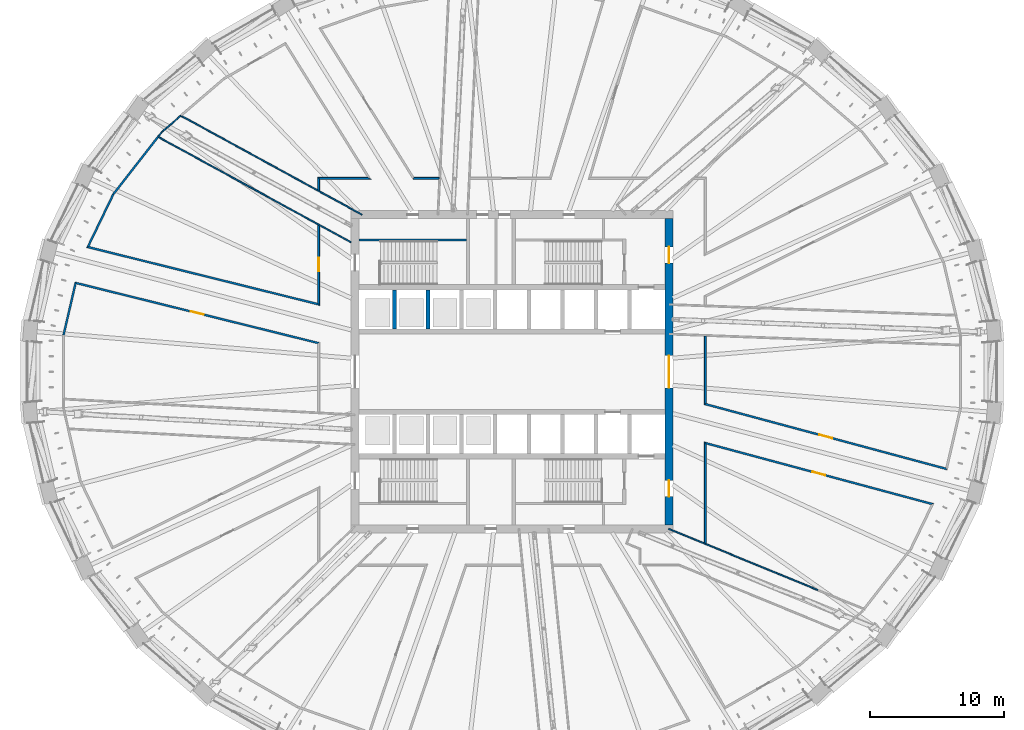
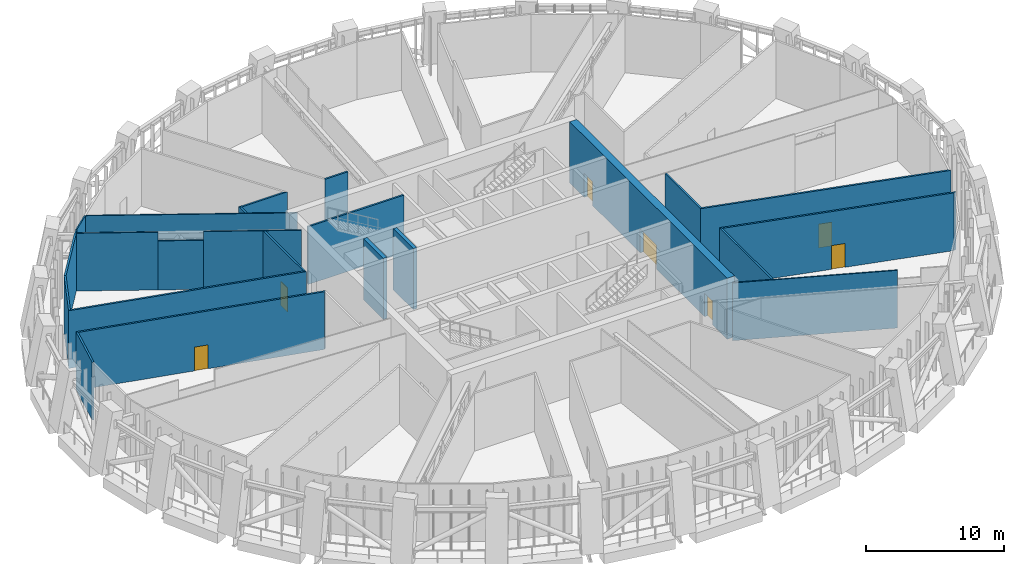
# One storey, part 9 of 22: 24 walls, 7 doors, 7 openings.
"""IFC4 building model written with IfcOpenShell, lengths in metres."""

from ifc_helpers import new_model, si_unit, direction, frame, frame_2d, origin, place, context, subcontext, project, spatial, polyline, rectangle, outline, extrude, material, layer, layer_set, type_object, element, fill, save


model = new_model("IFC4")

# Units and contexts
model_context = context("Model", 3, precision=1e-05, world=origin(), true_north=direction((0.0, 1.0)))
body_context = subcontext(model_context, "Body", "Model", "MODEL_VIEW")
ifc_project = project(units=[si_unit("LENGTHUNIT", "METRE"), si_unit("AREAUNIT", "SQUARE_METRE"), si_unit("VOLUMEUNIT", "CUBIC_METRE"), si_unit("PLANEANGLEUNIT", "RADIAN"), si_unit("MASSUNIT", "GRAM", prefix="KILO")], contexts=[model_context])

# Site, building, storey
site_placement = place(None, origin())
site = spatial("IfcSite", under=ifc_project, at=site_placement, CompositionType="ELEMENT")
building_placement = place(site_placement, origin())
building = spatial("IfcBuilding", under=site, at=building_placement, Name="Halqa Exchange Tower", CompositionType="ELEMENT")
storey_placement = place(building_placement, frame((0.0, 0.0, 99.10009765625)))
storey = spatial("IfcBuildingStorey", under=building, at=storey_placement, Name="L22", CompositionType="ELEMENT", Elevation=99.10009765625)

# Walls
ifc_material_1 = material(Name="Fire-rated gypsum board")
ifc_layer_1 = layer(ifc_material_1, 0.14990234375)
ifc_layer_set_1 = layer_set([ifc_layer_1], Name="Fire-rated gypsum board")
wall_type_1 = type_object("IfcWallType", Name="Fire partition EI 60 150", PredefinedType="PARTITIONING", material=ifc_layer_set_1)
wall_1_placement = place(storey_placement, frame((-32.492919921875, 6.694091796875, 0.0), z_axis=(0.0, 0.0, 1.0), x_axis=(-0.225920199459, -0.974145812226, 0.0)))
element("IfcWall", 1, at=wall_1_placement, inside=storey, type_object=wall_type_1, Name="L22-PWL-007", PredefinedType="PARTITIONING", context=body_context, shape_type="SweptSolid", body=[
    extrude(outline(polyline([(0.0, -0.074951171875), (1.35595703125, -0.074951171875), (2.711669921875, -0.074951171875), (4.067626953125, -0.074951171875), (4.050537109375, 0.074951171875), (2.101318359375, 0.074951171875), (0.152099609375, 0.074951171875), (0.0, -0.07470703125), (0.0, -0.074951171875)])), origin(), (0.0, 0.0, 1.0), 5.099853515625),
])
wall_2_placement = place(storey_placement, frame((-31.644775390625, 9.2080078125, 0.0), z_axis=(0.0, 0.0, 1.0), x_axis=(0.435304261424, 0.900283399817, 0.0)))
element("IfcWall", 2, at=wall_2_placement, inside=storey, type_object=wall_type_1, Name="L22-PWL-009", PredefinedType="PARTITIONING", context=body_context, shape_type="SweptSolid", body=[
    extrude(outline(polyline([(0.184814453125, -0.074951171875), (1.609619140625, -0.074951171875), (3.03466796875, -0.074951171875), (4.45947265625, -0.074951171875), (4.4755859375, 0.074951171875), (2.983642578125, 0.074951171875), (1.491943359375, 0.074951171875), (0.0, 0.074951171875), (0.184814453125, -0.074951171875)])), origin(), (0.0, 0.0, 1.0), 5.099853515625),
])
wall_3_placement = place(storey_placement, frame((-31.6943359375, 9.3134765625, 0.0), z_axis=(0.0, 0.0, 1.0), x_axis=(0.970538002946, -0.240948095734, 0.0)))
element("IfcWall", 3, at=wall_3_placement, inside=storey, type_object=wall_type_1, Name="L22-PWL-010", PredefinedType="PARTITIONING", context=body_context, shape_type="SweptSolid", body=[
    extrude(outline(polyline([(0.000244140625, -0.074951171875), (1.99072265625, -0.074951171875), (3.981201171875, -0.074951171875), (5.971923828125, -0.074951171875), (7.96240234375, -0.074951171875), (9.952880859375, -0.074951171875), (11.943603515625, -0.074951171875), (13.93408203125, -0.074951171875), (15.924560546875, -0.074951171875), (17.915283203125, -0.074951171875), (17.7236328125, 0.074951171875), (15.77490234375, 0.074951171875), (13.826171875, 0.074951171875), (11.87744140625, 0.074951171875), (9.928466796875, 0.074951171875), (7.979736328125, 0.074951171875), (6.031005859375, 0.074951171875), (4.082275390625, 0.074951171875), (2.133544921875, 0.074951171875), (0.184814453125, 0.074951171875), (0.000244140625, -0.074951171875)])), origin(), (0.0, 0.0, 1.0), 5.099853515625),
])
wall_4_placement = place(storey_placement, frame((-26.3701171875, 17.5, 0.0), z_axis=(0.0, 0.0, 1.0), x_axis=(-0.614934385905, -0.788578278316, 0.0)))
element("IfcWall", 4, at=wall_4_placement, inside=storey, type_object=wall_type_1, Name="L22-PWL-013", PredefinedType="PARTITIONING", context=body_context, shape_type="SweptSolid", body=[
    extrude(outline(polyline([(0.0, -0.074951171875), (1.8076171875, -0.074951171875), (3.615234375, -0.074951171875), (5.4228515625, -0.074951171875), (5.406982421875, 0.074951171875), (3.6044921875, 0.074951171875), (1.80224609375, 0.074951171875), (0.0, 0.074951171875), (0.0, -0.074951171875)])), origin(), (0.0, 0.0, 1.0), 5.099853515625),
])

# Wall, opening, door
wall_5_placement = place(storey_placement, frame((-14.343017578125, 2.115966796875, 0.0), z_axis=(0.0, 0.0, 1.0), x_axis=(-0.970616710199, 0.240630841505, 0.0)))
wall_5 = element("IfcWall", 5, at=wall_5_placement, inside=storey, type_object=wall_type_1, Name="L22-PWL-031", PredefinedType="PARTITIONING", context=body_context, shape_type="SweptSolid", body=[
    extrude(outline(polyline([(0.0, -0.074951171875), (1.87939453125, -0.074951171875), (3.758544921875, -0.074951171875), (5.637939453125, -0.074951171875), (7.51708984375, -0.074951171875), (9.396484375, -0.074951171875), (11.275634765625, -0.074951171875), (13.155029296875, -0.074951171875), (15.034423828125, -0.074951171875), (16.91357421875, -0.074951171875), (18.79296875, -0.074951171875), (18.640625, 0.074951171875), (16.788330078125, 0.074951171875), (14.93603515625, 0.074951171875), (13.083740234375, 0.074951171875), (11.2314453125, 0.074951171875), (9.37890625, 0.074951171875), (7.526611328125, 0.074951171875), (5.67431640625, 0.074951171875), (3.822021484375, 0.074951171875), (1.969482421875, 0.074951171875), (0.1171875, 0.074951171875), (0.0, -0.074951171875), (0.0, -0.074951171875)])), origin(), (0.0, 0.0, 1.0), 5.099853515625),
])
opening_1_placement = place(wall_5_placement, frame((8.8876953125, 0.0, 0.0)))
opening_1 = element("IfcOpeningElement", 6, at=opening_1_placement, cuts=wall_5, Name="Opening L22-16", PredefinedType="OPENING", context=body_context, shape_type="SweptSolid", body=[
    extrude(rectangle(XDim=1.0, YDim=2.10009765625, at=frame_2d((0.5, 1.050048828125))), frame((0.0, 0.0869140625, 0.0), z_axis=(0.0, -1.0, 0.0), x_axis=(1.0, 0.0, 0.0)), (0.0, 0.0, 1.0), 0.173828125),
])
ifc_material_2 = material(Name="Steel fire door leaf", Category="steel")
door_type_1 = type_object("IfcDoorType", Name="Fire door FD30S 1000 x 2100", OperationType="SINGLE_SWING_LEFT", PredefinedType="DOOR", material=ifc_material_2)
door_1_placement = place(opening_1_placement, origin())
door_1 = element("IfcDoor", 7, at=door_1_placement, inside=storey, type_object=door_type_1, Name="L22-IDR-016", OperationType="SINGLE_SWING_RIGHT", OverallHeight=2.10009765625, OverallWidth=1.0, PredefinedType="DOOR", context=body_context, shape_type="SweptSolid", body=[
    extrude(rectangle(XDim=1.0, YDim=2.10009765625, at=frame_2d((0.5, 1.050048828125))), frame((0.0, 0.02490234375, 0.0), z_axis=(0.0, -1.0, 0.0), x_axis=(1.0, 0.0, 0.0)), (0.0, 0.0, 1.0), 0.050048828125),
])
fill(opening_1, door_1)

wall_6_placement = place(storey_placement, frame((-14.39990234375, 4.924072265625, 0.0), z_axis=(0.0, 0.0, 1.0), x_axis=(0.0, 1.0, 0.0)))
wall_6 = element("IfcWall", 8, at=wall_6_placement, inside=storey, type_object=wall_type_1, Name="L22-PWL-032", PredefinedType="PARTITIONING", context=body_context, shape_type="SweptSolid", body=[
    extrude(outline(polyline([(0.0, -0.074951171875), (1.979248046875, -0.074951171875), (3.95849609375, -0.074951171875), (5.93798828125, -0.074951171875), (6.01953125, 0.074462890625), (6.01953125, 0.074951171875), (4.076904296875, 0.074951171875), (2.13427734375, 0.074951171875), (0.191650390625, 0.074951171875), (0.095947265625, 0.0), (0.0, -0.074951171875), (0.0, -0.074951171875)])), origin(), (0.0, 0.0, 1.0), 5.099853515625),
])
opening_2_placement = place(wall_6_placement, frame((2.560791015625, 0.0, 0.0)))
opening_2 = element("IfcOpeningElement", 9, at=opening_2_placement, cuts=wall_6, Name="Opening L22-15", PredefinedType="OPENING", context=body_context, shape_type="SweptSolid", body=[
    extrude(rectangle(XDim=1.0, YDim=2.10009765625, at=frame_2d((0.5, 1.050048828125))), frame((0.0, 0.0869140625, 0.0), z_axis=(0.0, -1.0, 0.0), x_axis=(1.0, 0.0, 0.0)), (0.0, 0.0, 1.0), 0.173828125),
])
door_2_placement = place(opening_2_placement, origin())
door_2 = element("IfcDoor", 10, at=door_2_placement, inside=storey, type_object=door_type_1, Name="L22-IDR-015", OperationType="SINGLE_SWING_RIGHT", OverallHeight=2.10009765625, OverallWidth=1.0, PredefinedType="DOOR", context=body_context, shape_type="SweptSolid", body=[
    extrude(rectangle(XDim=1.0, YDim=2.10009765625, at=frame_2d((0.5, 1.050048828125))), frame((0.0, 0.02490234375, 0.0), z_axis=(0.0, -1.0, 0.0), x_axis=(1.0, 0.0, 0.0)), (0.0, 0.0, 1.0), 0.050048828125),
])
fill(opening_2, door_2)

# Walls
wall_7_placement = place(storey_placement, frame((-14.39990234375, 13.48193359375, 0.0), z_axis=(0.0, 0.0, 1.0), x_axis=(0.0, 1.0, 0.0)))
element("IfcWall", 11, at=wall_7_placement, inside=storey, type_object=wall_type_1, Name="L22-PWL-033", PredefinedType="PARTITIONING", context=body_context, shape_type="SweptSolid", body=[
    extrude(outline(polyline([(0.0, -0.074951171875), (0.843017578125, -0.074951171875), (0.843017578125, -0.074951171875), (0.992919921875, 0.074951171875), (0.081787109375, 0.074951171875), (0.0, -0.074462890625), (0.0, -0.074951171875)])), origin(), (0.0, 0.0, 1.0), 5.099853515625),
])
wall_8_placement = place(storey_placement, frame((-14.47509765625, 14.39990234375, 0.0), z_axis=(0.0, 0.0, 1.0), x_axis=(1.0, 0.0, 0.0)))
element("IfcWall", 12, at=wall_8_placement, inside=storey, type_object=wall_type_1, Name="L22-PWL-034", PredefinedType="PARTITIONING", context=body_context, shape_type="SweptSolid", body=[
    extrude(outline(polyline([(3.980224609375, -0.074951171875), (3.980224609375, -0.074951171875), (3.710205078125, 0.074951171875), (1.855224609375, 0.074951171875), (0.000244140625, 0.074951171875), (0.150146484375, -0.074951171875), (2.065185546875, -0.074951171875), (3.980224609375, -0.074951171875)])), origin(), (0.0, 0.0, 1.0), 5.099853515625),
])
wall_9_placement = place(storey_placement, frame((-7.37158203125, 14.39990234375, 0.0), z_axis=(0.0, 0.0, 1.0), x_axis=(1.0, 0.0, 0.0)))
element("IfcWall", 13, at=wall_9_placement, inside=storey, type_object=wall_type_1, Name="L22-PWL-039", PredefinedType="PARTITIONING", context=body_context, shape_type="SweptSolid", body=[
    extrude(outline(polyline([(0.0, -0.074951171875), (1.93017578125, -0.074951171875), (1.93701171875, 0.064208984375), (1.93701171875, 0.074951171875), (0.083251953125, 0.074951171875), (0.04150390625, 0.0), (0.0, -0.074951171875), (0.0, -0.074951171875)])), origin(), (0.0, 0.0, 1.0), 5.099853515625),
])
wall_10_placement = place(storey_placement, frame((14.39990234375, -5.212158203125, 0.0), z_axis=(0.0, 0.0, 1.0), x_axis=(0.0, -1.0, 0.0)))
element("IfcWall", 14, at=wall_10_placement, inside=storey, type_object=wall_type_1, Name="L22-PWL-076", PredefinedType="PARTITIONING", context=body_context, shape_type="SweptSolid", body=[
    extrude(outline(polyline([(0.0, -0.074951171875), (1.881103515625, -0.074951171875), (3.76220703125, -0.074951171875), (5.64306640625, -0.074951171875), (7.524169921875, -0.074951171875), (7.58544921875, 0.07421875), (7.58544921875, 0.074951171875), (5.738037109375, 0.074951171875), (3.890380859375, 0.074951171875), (2.04296875, 0.074951171875), (0.195556640625, 0.074951171875), (0.097900390625, 0.0), (0.0, -0.074951171875), (0.0, -0.074951171875), (0.0, -0.074951171875), (0.0, -0.074951171875)])), origin(), (0.0, 0.0, 1.0), 5.099853515625),
])

# Wall, opening, door
wall_11_placement = place(storey_placement, frame((14.344482421875, -2.39501953125, 0.0), z_axis=(0.0, 0.0, 1.0), x_axis=(0.96572282832, -0.259575458899, 0.0)))
wall_11 = element("IfcWall", 15, at=wall_11_placement, inside=storey, type_object=wall_type_1, Name="L22-PWL-077", PredefinedType="PARTITIONING", context=body_context, shape_type="SweptSolid", body=[
    extrude(outline(polyline([(0.0, -0.074951171875), (1.874267578125, -0.074951171875), (3.748779296875, -0.074951171875), (5.623046875, -0.074951171875), (7.497314453125, -0.074951171875), (9.37158203125, -0.074951171875), (11.245849609375, -0.074951171875), (13.1201171875, -0.074951171875), (14.994384765625, -0.074951171875), (16.86865234375, -0.074951171875), (18.742919921875, -0.074951171875), (18.587646484375, 0.074951171875), (16.740478515625, 0.074951171875), (14.89306640625, 0.074951171875), (13.0458984375, 0.074951171875), (11.19873046875, 0.074951171875), (9.351318359375, 0.074951171875), (7.504150390625, 0.074951171875), (5.65673828125, 0.074951171875), (3.8095703125, 0.074951171875), (1.96240234375, 0.074951171875), (0.114990234375, 0.074951171875), (0.0, -0.074951171875)])), origin(), (0.0, 0.0, 1.0), 5.099853515625),
])
opening_3_placement = place(wall_11_placement, frame((8.861328125, 0.0, 0.0)))
opening_3 = element("IfcOpeningElement", 16, at=opening_3_placement, cuts=wall_11, Name="Opening L22-08", PredefinedType="OPENING", context=body_context, shape_type="SweptSolid", body=[
    extrude(rectangle(XDim=1.0, YDim=2.10009765625, at=frame_2d((0.5, 1.050048828125))), frame((0.0, 0.0869140625, 0.0), z_axis=(0.0, -1.0, 0.0), x_axis=(1.0, 0.0, 0.0)), (0.0, 0.0, 1.0), 0.173828125),
])
door_3_placement = place(opening_3_placement, origin())
door_3 = element("IfcDoor", 17, at=door_3_placement, inside=storey, type_object=door_type_1, Name="L22-IDR-008", OperationType="SINGLE_SWING_RIGHT", OverallHeight=2.10009765625, OverallWidth=1.0, PredefinedType="DOOR", context=body_context, shape_type="SweptSolid", body=[
    extrude(rectangle(XDim=1.0, YDim=2.10009765625, at=frame_2d((0.5, 1.050048828125))), frame((0.0, 0.02490234375, 0.0), z_axis=(0.0, -1.0, 0.0), x_axis=(1.0, 0.0, 0.0)), (0.0, 0.0, 1.0), 0.050048828125),
])
fill(opening_3, door_3)

# Wall
wall_12_placement = place(storey_placement, frame((14.39990234375, 2.660400390625, 0.0), z_axis=(0.0, 0.0, 1.0), x_axis=(0.0, -1.0, 0.0)))
element("IfcWall", 18, at=wall_12_placement, inside=storey, type_object=wall_type_1, Name="L22-PWL-078", PredefinedType="PARTITIONING", context=body_context, shape_type="SweptSolid", body=[
    extrude(outline(polyline([(5.1279296875, -0.074951171875), (5.1279296875, -0.074951171875), (5.1279296875, -0.074951171875), (5.1279296875, -0.074951171875), (5.0703125, 0.0), (5.012939453125, 0.074951171875), (3.34375, 0.074951171875), (1.674560546875, 0.074951171875), (0.005126953125, 0.074951171875), (0.0, -0.063720703125), (0.0, -0.074951171875), (1.709228515625, -0.074951171875), (3.418701171875, -0.074951171875), (5.1279296875, -0.074951171875)])), origin(), (0.0, 0.0, 1.0), 5.099853515625),
])

# Wall, opening, door
wall_13_placement = place(storey_placement, frame((31.41748046875, -9.883544921875, 0.0), z_axis=(0.0, 0.0, 1.0), x_axis=(-0.965732064275, 0.259541095073, 0.0)))
wall_13 = element("IfcWall", 19, at=wall_13_placement, inside=storey, type_object=wall_type_1, Name="L22-PWL-094", PredefinedType="PARTITIONING", context=body_context, shape_type="SweptSolid", body=[
    extrude(outline(polyline([(0.0, -0.074951171875), (1.96875, -0.074951171875), (3.9375, -0.074951171875), (5.906494140625, -0.074951171875), (7.875244140625, -0.074951171875), (9.843994140625, -0.074951171875), (11.812744140625, -0.074951171875), (13.781494140625, -0.074951171875), (15.750244140625, -0.074951171875), (17.718994140625, -0.074951171875), (17.5234375, 0.074951171875), (15.5966796875, 0.074951171875), (13.669677734375, 0.074951171875), (11.74267578125, 0.074951171875), (9.81591796875, 0.074951171875), (7.888916015625, 0.074951171875), (5.9619140625, 0.074951171875), (4.034912109375, 0.074951171875), (2.108154296875, 0.074951171875), (0.18115234375, 0.074951171875), (0.0, -0.074951171875)])), origin(), (0.0, 0.0, 1.0), 5.099853515625),
])
opening_4_placement = place(wall_13_placement, frame((8.35595703125, 0.0, 0.0)))
opening_4 = element("IfcOpeningElement", 20, at=opening_4_placement, cuts=wall_13, Name="Opening L22-07", PredefinedType="OPENING", context=body_context, shape_type="SweptSolid", body=[
    extrude(rectangle(XDim=1.0, YDim=2.10009765625, at=frame_2d((0.5, 1.050048828125))), frame((0.0, 0.0869140625, 0.0), z_axis=(0.0, -1.0, 0.0), x_axis=(1.0, 0.0, 0.0)), (0.0, 0.0, 1.0), 0.173828125),
])
door_4_placement = place(opening_4_placement, origin())
door_4 = element("IfcDoor", 21, at=door_4_placement, inside=storey, type_object=door_type_1, Name="L22-IDR-007", OperationType="SINGLE_SWING_LEFT", OverallHeight=2.10009765625, OverallWidth=1.0, PredefinedType="DOOR", context=body_context, shape_type="SweptSolid", body=[
    extrude(rectangle(XDim=1.0, YDim=2.10009765625, at=frame_2d((0.5, 1.050048828125))), frame((0.0, 0.02490234375, 0.0), z_axis=(0.0, -1.0, 0.0), x_axis=(1.0, 0.0, 0.0)), (0.0, 0.0, 1.0), 0.050048828125),
])
fill(opening_4, door_4)

# Walls
ifc_material_3 = material(Name="Gypsum board")
ifc_layer_2 = layer(ifc_material_3, 0.10009765625)
ifc_layer_set_2 = layer_set([ifc_layer_2], Name="Gypsum board")
wall_type_2 = type_object("IfcWallType", Name="Partition 100 gypsum", PredefinedType="PARTITIONING", material=ifc_layer_set_2)
wall_14_placement = place(storey_placement, frame((-26.318115234375, 17.4716796875, 0.0), z_axis=(0.0, 0.0, 1.0), x_axis=(0.877549423274, -0.479486193453, 0.0)))
element("IfcWall", 22, at=wall_14_placement, inside=storey, type_object=wall_type_2, Name="L22-PWL-014", PredefinedType="PARTITIONING", context=body_context, shape_type="SweptSolid", body=[
    extrude(outline(polyline([(0.0, 0.050048828125), (0.0, -0.009765625), (0.014892578125, -0.01220703125), (0.0087890625, -0.050048828125), (1.974853515625, -0.050048828125), (3.94091796875, -0.050048828125), (5.906982421875, -0.050048828125), (5.906982421875, 0.050048828125), (3.93798828125, 0.050048828125), (1.968994140625, 0.050048828125), (0.0, 0.050048828125)])), origin(), (0.0, 0.0, 1.0), 5.099853515625),
])
wall_15_placement = place(storey_placement, frame((-26.0869140625, 17.864013671875, 0.0), z_axis=(0.0, 0.0, 1.0), x_axis=(-0.614050550298, -0.789266698702, 0.0)))
element("IfcWall", 23, at=wall_15_placement, inside=storey, type_object=wall_type_2, Name="L22-PWL-016", PredefinedType="PARTITIONING", context=body_context, shape_type="SweptSolid", body=[
    extrude(outline(polyline([(0.461181640625, 0.050048828125), (0.010009765625, 0.050048828125), (0.0, -0.050048828125), (0.461181640625, -0.050048828125), (0.461181640625, 0.050048828125)])), origin(), (0.0, 0.0, 1.0), 5.099853515625),
])
wall_16_placement = place(storey_placement, frame((-24.669921875, 19.080078125, 0.0), z_axis=(0.0, 0.0, 1.0), x_axis=(-0.758475731748, -0.6517012846, 0.0)))
element("IfcWall", 24, at=wall_16_placement, inside=storey, type_object=wall_type_2, Name="L22-PWL-017", PredefinedType="PARTITIONING", context=body_context, shape_type="SweptSolid", body=[
    extrude(outline(polyline([(1.877197265625, -0.050048828125), (1.877197265625, -0.0498046875), (1.8671875, 0.050048828125), (0.0, 0.050048828125), (0.0, -0.050048828125), (1.877197265625, -0.050048828125)])), origin(), (0.0, 0.0, 1.0), 5.099853515625),
])
wall_17_placement = place(storey_placement, frame((-24.639404296875, 19.063232421875, 0.0), z_axis=(0.0, 0.0, 1.0), x_axis=(0.877449064697, -0.479669822756, 0.0)))
element("IfcWall", 25, at=wall_17_placement, inside=storey, type_object=wall_type_2, Name="L22-PWL-018", PredefinedType="PARTITIONING", context=body_context, shape_type="SweptSolid", body=[
    extrude(outline(polyline([(15.350830078125, 0.050048828125), (13.455078125, 0.050048828125), (11.559326171875, 0.050048828125), (11.557373046875, 0.048828125), (11.556640625, 0.050048828125), (9.641357421875, 0.050048828125), (7.725830078125, 0.050048828125), (5.810546875, 0.050048828125), (3.89501953125, 0.050048828125), (1.979736328125, 0.050048828125), (0.064208984375, 0.050048828125), (0.03515625, -0.026611328125), (0.011962890625, -0.017822265625), (0.0, -0.049072265625), (0.0, -0.050048828125), (1.9189453125, -0.050048828125), (3.837646484375, -0.050048828125), (5.756591796875, -0.050048828125), (7.67529296875, -0.050048828125), (9.59423828125, -0.050048828125), (11.51318359375, -0.050048828125), (13.431884765625, -0.050048828125), (15.350830078125, -0.050048828125), (15.350830078125, 0.050048828125)])), origin(), (0.0, 0.0, 1.0), 5.099853515625),
])
wall_18_placement = place(storey_placement, frame((11.669921875, -11.699951171875, 0.0), z_axis=(0.0, 0.0, 1.0), x_axis=(0.925020199912, -0.379917925025, 0.0)))
element("IfcWall", 26, at=wall_18_placement, inside=storey, type_object=wall_type_2, Name="L22-PWL-071", PredefinedType="PARTITIONING", context=body_context, shape_type="SweptSolid", body=[
    extrude(outline(polyline([(0.0, 0.050048828125), (0.0, -0.050048828125), (1.720947265625, -0.050048828125), (3.442138671875, -0.050048828125), (5.1630859375, -0.050048828125), (6.884033203125, -0.050048828125), (8.60498046875, -0.050048828125), (10.326171875, -0.050048828125), (12.047119140625, -0.050048828125), (12.047119140625, 0.050048828125), (10.326171875, 0.050048828125), (8.60498046875, 0.050048828125), (6.884033203125, 0.050048828125), (5.1630859375, 0.050048828125), (3.442138671875, 0.050048828125), (1.720947265625, 0.050048828125), (0.0, 0.050048828125)])), origin(), (0.0, 0.0, 1.0), 5.099853515625),
])
wall_19_placement = place(storey_placement, frame((-21.134521484375, 14.639404296875, 0.0), z_axis=(0.0, 0.0, 1.0), x_axis=(0.877581388412, -0.479427686635, 0.0)))
element("IfcWall", 27, at=wall_19_placement, inside=storey, type_object=wall_type_2, Name="L22-PWL-103", PredefinedType="PARTITIONING", context=body_context, shape_type="SweptSolid", body=[
    extrude(outline(polyline([(0.0, 0.050048828125), (0.0, -0.050048828125), (1.649169921875, -0.050048828125), (3.29833984375, -0.050048828125), (3.29833984375, 0.050048828125), (1.649169921875, 0.050048828125), (0.0, 0.050048828125)])), origin(), (0.0, 0.0, 1.0), 4.329833984375),
])
wall_20_placement = place(storey_placement, frame((-18.239990234375, 13.05810546875, 0.0), z_axis=(0.0, 0.0, 1.0), x_axis=(0.877551538898, -0.479482321445, 0.0)))
element("IfcWall", 28, at=wall_20_placement, inside=storey, type_object=wall_type_2, Name="L22-PWL-104", PredefinedType="PARTITIONING", context=body_context, shape_type="SweptSolid", body=[
    extrude(outline(polyline([(0.0, -0.050048828125), (1.494140625, -0.050048828125), (2.98828125, -0.050048828125), (4.482421875, -0.050048828125), (4.487060546875, -0.04736328125), (4.488525390625, -0.050048828125), (5.79931640625, -0.050048828125), (7.110107421875, -0.050048828125), (7.110107421875, 0.050048828125), (5.33251953125, 0.050048828125), (3.55517578125, 0.050048828125), (1.777587890625, 0.050048828125), (0.0, 0.050048828125), (0.0, -0.050048828125)])), origin(), (0.0, 0.0, 1.0), 5.099853515625),
])
ifc_material_4 = material(Name="Concrete C60/75", Category="concrete")
ifc_layer_3 = layer(ifc_material_4, 0.300048828125)
ifc_layer_set_3 = layer_set([ifc_layer_3], Name="Concrete C60/75")
wall_type_3 = type_object("IfcWallType", Name="RC core wall 300", PredefinedType="SHEAR", material=ifc_layer_set_3)
for number, where, z_axis, x_axis, name in (
    (29, (-8.75, 3.199951171875, 0.0), (0.0, 0.0, 1.0), (0.0, 1.0, 0.0), "Shaft divider N1"),
    (30, (-6.25, 3.199951171875, 0.0), (0.0, 0.0, 1.0), (0.0, 1.0, 0.0), "Shaft divider N2"),
):
    element("IfcWall", number, at=place(storey_placement, frame(where, z_axis=z_axis, x_axis=x_axis)), inside=storey, type_object=wall_type_3, Name=name, PredefinedType="SHEAR", context=body_context, shape_type="SweptSolid", body=[
        extrude(rectangle(XDim=2.900146484375, YDim=0.300048828125, at=frame_2d((1.4501953125, 0.0))), origin(), (0.0, 0.0, 1.0), 5.39990234375),
    ])

# Wall, openings, doors
ifc_material_5 = material(Name="Concrete C80/95", Category="concrete")
ifc_layer_4 = layer(ifc_material_5, 0.60009765625)
ifc_layer_set_4 = layer_set([ifc_layer_4], Name="Concrete C80/95")
wall_type_4 = type_object("IfcWallType", Name="RC core wall 600 C80/95", PredefinedType="SHEAR", material=ifc_layer_set_4)
wall_21_placement = place(storey_placement, frame((11.699951171875, -11.39990234375, 0.0), z_axis=(0.0, 0.0, 1.0), x_axis=(0.0, 1.0, 0.0)))
wall_21 = element("IfcWall", 31, at=wall_21_placement, inside=storey, type_object=wall_type_4, Name="Core wall east", PredefinedType="SHEAR", context=body_context, shape_type="SweptSolid", body=[
    extrude(rectangle(XDim=22.7998046875, YDim=0.60009765625, at=frame_2d((11.39990234375, 0.0))), origin(), (0.0, 0.0, 1.0), 5.39990234375),
])
opening_5_placement = place(wall_21_placement, frame((10.199951171875, 0.0, 0.0)))
opening_5 = element("IfcOpeningElement", 32, at=opening_5_placement, cuts=wall_21, Name="Opening L22-C06", PredefinedType="OPENING", context=body_context, shape_type="SweptSolid", body=[
    extrude(rectangle(XDim=2.39990234375, YDim=2.10009765625, at=frame_2d((1.199951171875, 1.050048828125))), frame((0.0, 0.31201171875, 0.0), z_axis=(0.0, -1.0, 0.0), x_axis=(1.0, 0.0, 0.0)), (0.0, 0.0, 1.0), 0.6240234375),
])
opening_6_placement = place(wall_21_placement, frame((19.5, 0.0, 0.0)))
opening_6 = element("IfcOpeningElement", 33, at=opening_6_placement, cuts=wall_21, Name="Opening L22-C11", PredefinedType="OPENING", context=body_context, shape_type="SweptSolid", body=[
    extrude(rectangle(XDim=1.199951171875, YDim=2.10009765625, at=frame_2d((0.60009765625, 1.050048828125))), frame((0.0, 0.31201171875, 0.0), z_axis=(0.0, -1.0, 0.0), x_axis=(1.0, 0.0, 0.0)), (0.0, 0.0, 1.0), 0.6240234375),
])
opening_7_placement = place(wall_21_placement, frame((2.10009765625, 0.0, 0.0)))
opening_7 = element("IfcOpeningElement", 34, at=opening_7_placement, cuts=wall_21, Name="Opening L22-C12", PredefinedType="OPENING", context=body_context, shape_type="SweptSolid", body=[
    extrude(rectangle(XDim=1.199951171875, YDim=2.10009765625, at=frame_2d((0.60009765625, 1.050048828125))), frame((0.0, 0.31201171875, 0.0), z_axis=(0.0, -1.0, 0.0), x_axis=(1.0, 0.0, 0.0)), (0.0, 0.0, 1.0), 0.6240234375),
])
door_type_2 = type_object("IfcDoorType", Name="Firefighting lobby door FD90 1200 x 2100", OperationType="SINGLE_SWING_RIGHT", PredefinedType="DOOR", material=ifc_material_2)
door_5_placement = place(opening_6_placement, origin())
door_5 = element("IfcDoor", 35, at=door_5_placement, inside=storey, type_object=door_type_2, Name="Firefighting lobby door", OperationType="SINGLE_SWING_RIGHT", OverallHeight=2.10009765625, OverallWidth=1.199951171875, PredefinedType="DOOR", context=body_context, shape_type="SweptSolid", body=[
    extrude(rectangle(XDim=1.199951171875, YDim=2.10009765625, at=frame_2d((0.60009765625, 1.050048828125))), frame((0.0, 0.02490234375, 0.0), z_axis=(0.0, -1.0, 0.0), x_axis=(1.0, 0.0, 0.0)), (0.0, 0.0, 1.0), 0.050048828125),
])
fill(opening_6, door_5)
door_6_placement = place(opening_7_placement, origin())
door_6 = element("IfcDoor", 36, at=door_6_placement, inside=storey, type_object=door_type_2, Name="Firefighting lobby door", OperationType="SINGLE_SWING_LEFT", OverallHeight=2.10009765625, OverallWidth=1.199951171875, PredefinedType="DOOR", context=body_context, shape_type="SweptSolid", body=[
    extrude(rectangle(XDim=1.199951171875, YDim=2.10009765625, at=frame_2d((0.60009765625, 1.050048828125))), frame((0.0, 0.02490234375, 0.0), z_axis=(0.0, -1.0, 0.0), x_axis=(1.0, 0.0, 0.0)), (0.0, 0.0, 1.0), 0.050048828125),
])
fill(opening_7, door_6)
door_type_3 = type_object("IfcDoorType", Name="Lobby double door FD60 2400 x 2100", OperationType="DOUBLE_DOOR_SINGLE_SWING", PredefinedType="DOOR", material=ifc_material_2)
door_7_placement = place(opening_5_placement, frame((2.39990234375, 0.0, 0.0), z_axis=(0.0, 0.0, 1.0), x_axis=(-1.0, 0.0, 0.0)))
door_7 = element("IfcDoor", 37, at=door_7_placement, inside=storey, type_object=door_type_3, Name="Lift lobby double door", OperationType="DOUBLE_DOOR_SINGLE_SWING", OverallHeight=2.10009765625, OverallWidth=2.39990234375, PredefinedType="DOOR", context=body_context, shape_type="SweptSolid", body=[
    extrude(rectangle(XDim=2.39990234375, YDim=2.10009765625, at=frame_2d((1.199951171875, 1.050048828125))), frame((0.0, 0.02490234375, 0.0), z_axis=(0.0, -1.0, 0.0), x_axis=(1.0, 0.0, 0.0)), (0.0, 0.0, 1.0), 0.050048828125),
])
fill(opening_5, door_7)

# Wall
ifc_material_6 = material(Name="Concrete C30/37", Category="concrete")
ifc_layer_5 = layer(ifc_material_6, 0.14990234375)
ifc_layer_set_5 = layer_set([ifc_layer_5], Name="Concrete C30/37")
wall_type_5 = type_object("IfcWallType", Name="RC stair wall 150 C30/37", PredefinedType="SHEAR", material=ifc_layer_set_5)
wall_22_placement = place(storey_placement, frame((-11.39990234375, 9.824951171875, 0.0), z_axis=(0.0, 0.0, 1.0), x_axis=(1.0, 0.0, 0.0)))
element("IfcWall", 38, at=wall_22_placement, inside=storey, type_object=wall_type_5, Name="Stair ST1 north wall N", PredefinedType="SHEAR", context=body_context, shape_type="SweptSolid", body=[
    extrude(rectangle(XDim=8.0, YDim=0.14990234375, at=frame_2d((4.0, 0.0))), origin(), (0.0, 0.0, 1.0), 5.099853515625),
])

save(model, "model.ifc")
